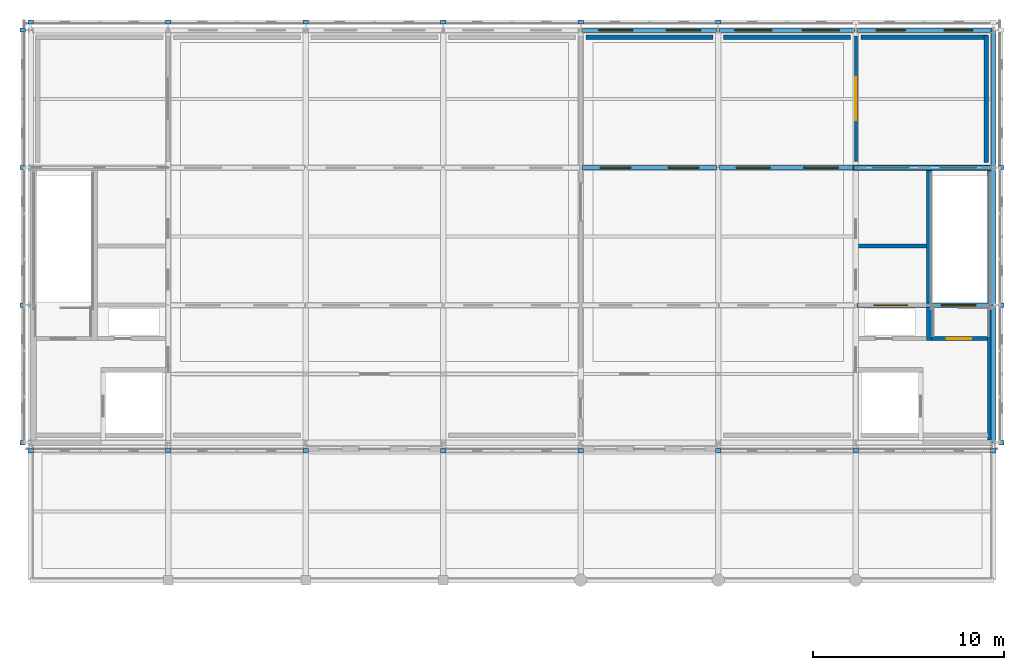
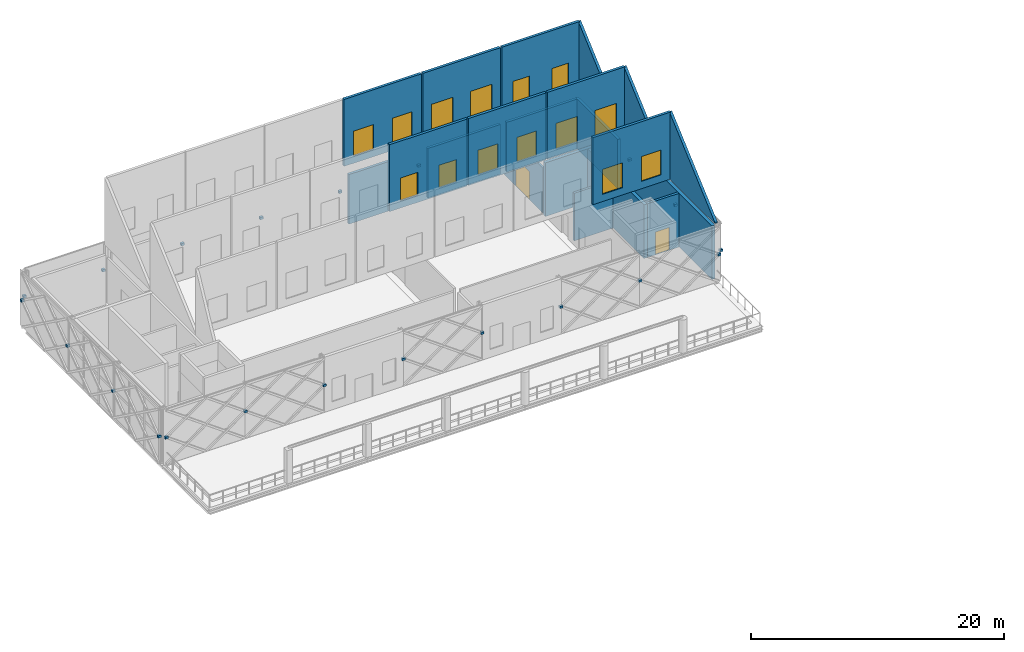
# One storey, part 29 of 31: 21 discrete accessories, 20 walls, 14 windows, 2 doors, 16 openings.
"""IFC4 building model written with IfcOpenShell, lengths in metres."""

from ifc_helpers import new_model, si_unit, direction, frame, frame_2d, origin, origin_2d, place, context, subcontext, project, spatial, polyline, rectangle, outline, extrude, material, layer, layer_set, type_object, element, fill, save


model = new_model("IFC4")

# Units and contexts
model_context = context("Model", 3, precision=1e-05, world=origin(), true_north=direction((0.0, 1.0)))
body_context = subcontext(model_context, "Body", "Model", "MODEL_VIEW")
ifc_project = project(units=[si_unit("LENGTHUNIT", "METRE"), si_unit("AREAUNIT", "SQUARE_METRE"), si_unit("VOLUMEUNIT", "CUBIC_METRE"), si_unit("PLANEANGLEUNIT", "RADIAN"), si_unit("MASSUNIT", "GRAM", prefix="KILO")], contexts=[model_context])

# Site, building, storey
site_placement = place(None, origin())
site = spatial("IfcSite", under=ifc_project, at=site_placement, CompositionType="ELEMENT")
building_placement = place(site_placement, origin())
building = spatial("IfcBuilding", under=site, at=building_placement, Name="Zlatovets Crest Museum", CompositionType="ELEMENT")
storey_placement = place(building_placement, frame((0.0, 0.0, 25.199951171875)))
storey = spatial("IfcBuildingStorey", under=building, at=storey_placement, Name="L05", CompositionType="ELEMENT", Elevation=25.199951171875)

# Walls
ifc_material_1 = material(Name="Concrete C35/45", Category="concrete")
ifc_layer_1 = layer(ifc_material_1, 0.300048828125)
ifc_layer_set_1 = layer_set([ifc_layer_1], Name="Concrete C35/45")
wall_type_1 = type_object("IfcWallType", Name="CoreWall_SW01", PredefinedType="SHEAR", material=ifc_layer_set_1)
wall_1_placement = place(storey_placement, frame((100.64990234375, 108.0, 0.0), z_axis=(0.0, 0.0, 1.0), x_axis=(1.0, 0.0, 0.0)))
element("IfcWall", 1, at=wall_1_placement, inside=storey, type_object=wall_type_1, Name="Core C6 L05 North Shear Wall", PredefinedType="SHEAR", context=body_context, shape_type="SweptSolid", body=[
    extrude(rectangle(XDim=7.35009765625, YDim=0.300048828125, at=frame_2d((3.675048828125, 0.0))), origin(), (0.0, 0.0, 1.0), 5.179931640625),
])
wall_2_placement = place(storey_placement, frame((107.85009765625, 93.75, 0.0), z_axis=(0.0, 0.0, 1.0), x_axis=(0.0, 1.0, 0.0)))
element("IfcWall", 2, at=wall_2_placement, inside=storey, type_object=wall_type_1, Name="Core C6 L05 Perimeter Shear Wall", PredefinedType="SHEAR", context=body_context, shape_type="SweptSolid", body=[
    extrude(rectangle(XDim=14.10009765625, YDim=0.300048828125, at=frame_2d((7.050048828125, 0.0))), origin(), (0.0, 0.0, 1.0), 5.179931640625),
])
wall_3_placement = place(storey_placement, frame((104.64990234375, 98.93994140625, 0.0), z_axis=(0.0, 0.0, 1.0), x_axis=(0.0, 1.0, 0.0)))
element("IfcWall", 3, at=wall_3_placement, inside=storey, type_object=wall_type_1, Name="Core C6 L05 Stair Divider Wall", PredefinedType="SHEAR", context=body_context, shape_type="SweptSolid", body=[
    extrude(rectangle(XDim=8.91015625, YDim=0.300048828125, at=frame_2d((4.455078125, 0.0))), origin(), (0.0, 0.0, 1.0), 5.179931640625),
])

# Wall, opening, door
ifc_layer_2 = layer(ifc_material_1, 0.25)
ifc_layer_set_2 = layer_set([ifc_layer_2], Name="Concrete C35/45")
wall_type_2 = type_object("IfcWallType", Name="CoreWall_SW02", PredefinedType="SHEAR", material=ifc_layer_set_2)
wall_4_placement = place(storey_placement, frame((104.800048828125, 99.050048828125, 0.0), z_axis=(0.0, 0.0, 1.0), x_axis=(1.0, 0.0, 0.0)))
wall_4 = element("IfcWall", 4, at=wall_4_placement, inside=storey, type_object=wall_type_2, Name="Core C6 L05 Stairwell Fire Wall", PredefinedType="SHEAR", context=body_context, shape_type="SweptSolid", body=[
    extrude(rectangle(XDim=2.89990234375, YDim=0.219970703125, at=frame_2d((1.449951171875, 0.0))), origin(), (0.0, 0.0, 1.0), 5.179931640625),
])
opening_1_placement = place(wall_4_placement, frame((0.75, 0.0, 0.0)))
opening_1 = element("IfcOpeningElement", 5, at=opening_1_placement, cuts=wall_4, Name="Opening FD-01", PredefinedType="OPENING", context=body_context, shape_type="SweptSolid", body=[
    extrude(rectangle(XDim=1.300048828125, YDim=2.199951171875, at=frame_2d((0.64990234375, 1.10009765625))), frame((0.0, 0.1201171875, 0.0), z_axis=(0.0, -1.0, 0.0), x_axis=(1.0, 0.0, 0.0)), (0.0, 0.0, 1.0), 0.239990234375),
])
ifc_material_2 = material(Name="Smoke-sealed steel fire door", Category="steel")
door_type_1 = type_object("IfcDoorType", Name="IntDoor_FD-01", OperationType="NOTDEFINED", PredefinedType="DOOR", material=ifc_material_2)
door_1_placement = place(opening_1_placement, origin())
door_1 = element("IfcDoor", 6, at=door_1_placement, inside=storey, type_object=door_type_1, Name="SDOOR-ST7-L05 Stair ST7 L05 Fire Door", OperationType="SINGLE_SWING_LEFT", OverallHeight=2.199951171875, OverallWidth=1.300048828125, PredefinedType="DOOR", context=body_context, shape_type="SweptSolid", body=[
    extrude(rectangle(XDim=1.300048828125, YDim=2.199951171875, at=frame_2d((0.64990234375, 1.10009765625))), frame((0.0, 0.02490234375, 0.0), z_axis=(0.0, -1.0, 0.0), x_axis=(1.0, 0.0, 0.0)), (0.0, 0.0, 1.0), 0.050048828125),
])
fill(opening_1, door_1)

# Walls
ifc_material_3 = material(Name="Insulated gallery conservation liner wall", Category="concrete")
ifc_layer_3 = layer(ifc_material_3, 0.300048828125)
ifc_layer_set_3 = layer_set([ifc_layer_3], Name="Insulated gallery conservation liner wall")
wall_type_3 = type_object("IfcWallType", Name="ExtWall_EW-02", PredefinedType="STANDARD", material=ifc_layer_set_3)
for number, where, z_axis, x_axis, name in (
    (7, (107.6201171875, 108.280029296875, 0.0), (0.0, 0.0, 1.0), (0.0, 1.0, 0.0), "V1 L05 Interior Conservation Gallery Liner Wall"),
    (8, (107.719970703125, 114.820068359375, 0.0), (0.0, 0.0, 1.0), (-1.0, 0.0, 0.0), "V1 L05 Interior Conservation Gallery Liner Wall"),
):
    element("IfcWall", number, at=place(storey_placement, frame(where, z_axis=z_axis, x_axis=x_axis)), inside=storey, type_object=wall_type_3, Name=name, PredefinedType="STANDARD", context=body_context, shape_type="SweptSolid", body=[
        extrude(rectangle(XDim=6.639892578125, YDim=0.239990234375, at=frame_2d((3.31982421875, 0.0))), origin(), (0.0, 0.0, 1.0), 4.780029296875),
    ])
for number, where, z_axis, x_axis, name in (
    (9, (100.52001953125, 114.820068359375, 0.0), (0.0, 0.0, 1.0), (-1.0, 0.0, 0.0), "V1 L05 Interior Conservation Gallery Liner Wall"),
    (10, (93.320068359375, 114.820068359375, 0.0), (0.0, 0.0, 1.0), (-1.0, 0.0, 0.0), "V1 L05 Interior Conservation Gallery Liner Wall"),
):
    element("IfcWall", number, at=place(storey_placement, frame(where, z_axis=z_axis, x_axis=x_axis)), inside=storey, type_object=wall_type_3, Name=name, PredefinedType="STANDARD", context=body_context, shape_type="SweptSolid", body=[
        extrude(rectangle(XDim=6.64013671875, YDim=0.239990234375, at=frame_2d((3.320068359375, 0.0))), origin(), (0.0, 0.0, 1.0), 4.780029296875),
    ])

# Wall, openings, windows
ifc_material_4 = material(Name="Copper-zinc insulated clerestory and vault tympanum wall", Category="steel")
ifc_layer_4 = layer(ifc_material_4, 0.260009765625)
ifc_layer_set_4 = layer_set([ifc_layer_4], Name="Copper-zinc insulated clerestory and vault tympanum wall")
wall_type_4 = type_object("IfcWallType", Name="ExtWall_EW-04", PredefinedType="STANDARD", material=ifc_layer_set_4)
wall_5_placement = place(storey_placement, frame((107.93994140625, 100.800048828125, 5.420166015625), z_axis=(0.0, 0.0, 1.0), x_axis=(-1.0, 0.0, 0.0)))
wall_5 = element("IfcWall", 11, at=wall_5_placement, inside=storey, type_object=wall_type_4, Name="V1 Tooth 1 North-Light Clerestory Wall Bay 6", PredefinedType="STANDARD", context=body_context, shape_type="SweptSolid", body=[
    extrude(rectangle(XDim=7.079833984375, YDim=0.239990234375, at=frame_2d((3.5400390625, 0.0))), origin(), (0.0, 0.0, 1.0), 6.4599609375),
])
opening_2_placement = place(wall_5_placement, frame((0.8701171875, 0.0, 0.699951171875)))
opening_2 = element("IfcOpeningElement", 12, at=opening_2_placement, cuts=wall_5, Name="Opening RL-NL2", PredefinedType="OPENING", context=body_context, shape_type="SweptSolid", body=[
    extrude(rectangle(XDim=1.800048828125, YDim=2.39990234375, at=frame_2d((0.89990234375, 1.199951171875))), frame((0.0, 0.1298828125, 0.0), z_axis=(0.0, -1.0, 0.0), x_axis=(1.0, 0.0, 0.0)), (0.0, 0.0, 1.0), 0.260009765625),
])
opening_3_placement = place(wall_5_placement, frame((4.409912109375, 0.0, 0.699951171875)))
opening_3 = element("IfcOpeningElement", 13, at=opening_3_placement, cuts=wall_5, Name="Opening RL-NL2", PredefinedType="OPENING", context=body_context, shape_type="SweptSolid", body=[
    extrude(rectangle(XDim=1.800048828125, YDim=2.39990234375, at=frame_2d((0.89990234375, 1.199951171875))), frame((0.0, 0.1298828125, 0.0), z_axis=(0.0, -1.0, 0.0), x_axis=(1.0, 0.0, 0.0)), (0.0, 0.0, 1.0), 0.260009765625),
])
ifc_material_5 = material(Name="Bronze-anodised aluminium frame with low-E triple glass", Category="aluminium")
window_type_1 = type_object("IfcWindowType", Name="Win_RL-NL2", PartitioningType="SINGLE_PANEL", PredefinedType="SKYLIGHT", material=ifc_material_5)
window_1_placement = place(opening_2_placement, origin())
window_1 = element("IfcWindow", 14, at=window_1_placement, inside=storey, type_object=window_type_1, Name="Rooflight V1 Tooth 1 Bay 6.1", OverallHeight=2.39990234375, OverallWidth=1.800048828125, PartitioningType="SINGLE_PANEL", PredefinedType="SKYLIGHT", context=body_context, shape_type="SweptSolid", body=[
    extrude(rectangle(XDim=1.800048828125, YDim=2.39990234375, at=frame_2d((0.89990234375, 1.199951171875))), frame((0.0, 0.030029296875, 0.0), z_axis=(0.0, -1.0, 0.0), x_axis=(1.0, 0.0, 0.0)), (0.0, 0.0, 1.0), 0.06005859375),
])
fill(opening_2, window_1)
window_2_placement = place(opening_3_placement, origin())
window_2 = element("IfcWindow", 15, at=window_2_placement, inside=storey, type_object=window_type_1, Name="Rooflight V1 Tooth 1 Bay 6.2", OverallHeight=2.39990234375, OverallWidth=1.800048828125, PartitioningType="SINGLE_PANEL", PredefinedType="SKYLIGHT", context=body_context, shape_type="SweptSolid", body=[
    extrude(rectangle(XDim=1.800048828125, YDim=2.39990234375, at=frame_2d((0.89990234375, 1.199951171875))), frame((0.0, 0.030029296875, 0.0), z_axis=(0.0, -1.0, 0.0), x_axis=(1.0, 0.0, 0.0)), (0.0, 0.0, 1.0), 0.06005859375),
])
fill(opening_3, window_2)

# Wall
wall_6_placement = place(storey_placement, frame((108.0, 93.60009765625, 5.420166015625), z_axis=(0.0, 0.0, 1.0), x_axis=(0.0, 1.0, 0.0)))
element("IfcWall", 16, at=wall_6_placement, inside=storey, type_object=wall_type_4, Name="V1 Sawtooth Tooth 1 E Gable Wall", PredefinedType="STANDARD", context=body_context, shape_type="SweptSolid", body=[
    extrude(outline(polyline([(0.0, 0.0), (7.199951171875, 0.0), (7.199951171875, 6.4599609375), (0.0, 0.1298828125), (0.0, 0.0)])), frame((0.0, 0.1201171875, 0.0), z_axis=(0.0, -1.0, 0.0), x_axis=(1.0, 0.0, 0.0)), (0.0, 0.0, 1.0), 0.239990234375),
])

# Wall, openings, windows
wall_7_placement = place(storey_placement, frame((93.5400390625, 108.0, 5.420166015625), z_axis=(0.0, 0.0, 1.0), x_axis=(-1.0, 0.0, 0.0)))
wall_7 = element("IfcWall", 17, at=wall_7_placement, inside=storey, type_object=wall_type_4, Name="V1 Tooth 2 North-Light Clerestory Wall Bay 4", PredefinedType="STANDARD", context=body_context, shape_type="SweptSolid", body=[
    extrude(rectangle(XDim=7.080078125, YDim=0.239990234375, at=frame_2d((3.5400390625, 0.0))), origin(), (0.0, 0.0, 1.0), 6.4599609375),
])
opening_4_placement = place(wall_7_placement, frame((0.969970703125, 0.0, 0.699951171875)))
opening_4 = element("IfcOpeningElement", 18, at=opening_4_placement, cuts=wall_7, Name="Opening RL-NL1", PredefinedType="OPENING", context=body_context, shape_type="SweptSolid", body=[
    extrude(rectangle(XDim=1.60009765625, YDim=2.199951171875, at=frame_2d((0.800048828125, 1.10009765625))), frame((0.0, 0.1298828125, 0.0), z_axis=(0.0, -1.0, 0.0), x_axis=(1.0, 0.0, 0.0)), (0.0, 0.0, 1.0), 0.260009765625),
])
opening_5_placement = place(wall_7_placement, frame((4.510009765625, 0.0, 0.699951171875)))
opening_5 = element("IfcOpeningElement", 19, at=opening_5_placement, cuts=wall_7, Name="Opening RL-NL1", PredefinedType="OPENING", context=body_context, shape_type="SweptSolid", body=[
    extrude(rectangle(XDim=1.60009765625, YDim=2.199951171875, at=frame_2d((0.800048828125, 1.10009765625))), frame((0.0, 0.1298828125, 0.0), z_axis=(0.0, -1.0, 0.0), x_axis=(1.0, 0.0, 0.0)), (0.0, 0.0, 1.0), 0.260009765625),
])
window_type_2 = type_object("IfcWindowType", Name="Win_RL-NL1", PartitioningType="SINGLE_PANEL", PredefinedType="SKYLIGHT", material=ifc_material_5)
window_3_placement = place(opening_4_placement, origin())
window_3 = element("IfcWindow", 20, at=window_3_placement, inside=storey, type_object=window_type_2, Name="Rooflight V1 Tooth 2 Bay 4.1", OverallHeight=2.199951171875, OverallWidth=1.60009765625, PartitioningType="SINGLE_PANEL", PredefinedType="SKYLIGHT", context=body_context, shape_type="SweptSolid", body=[
    extrude(rectangle(XDim=1.60009765625, YDim=2.199951171875, at=frame_2d((0.800048828125, 1.10009765625))), frame((0.0, 0.030029296875, 0.0), z_axis=(0.0, -1.0, 0.0), x_axis=(1.0, 0.0, 0.0)), (0.0, 0.0, 1.0), 0.06005859375),
])
fill(opening_4, window_3)
window_4_placement = place(opening_5_placement, origin())
window_4 = element("IfcWindow", 21, at=window_4_placement, inside=storey, type_object=window_type_2, Name="Rooflight V1 Tooth 2 Bay 4.2", OverallHeight=2.199951171875, OverallWidth=1.60009765625, PartitioningType="SINGLE_PANEL", PredefinedType="SKYLIGHT", context=body_context, shape_type="SweptSolid", body=[
    extrude(rectangle(XDim=1.60009765625, YDim=2.199951171875, at=frame_2d((0.800048828125, 1.10009765625))), frame((0.0, 0.030029296875, 0.0), z_axis=(0.0, -1.0, 0.0), x_axis=(1.0, 0.0, 0.0)), (0.0, 0.0, 1.0), 0.06005859375),
])
fill(opening_5, window_4)

wall_8_placement = place(storey_placement, frame((100.739990234375, 108.0, 5.420166015625), z_axis=(0.0, 0.0, 1.0), x_axis=(-1.0, 0.0, 0.0)))
wall_8 = element("IfcWall", 22, at=wall_8_placement, inside=storey, type_object=wall_type_4, Name="V1 Tooth 2 North-Light Clerestory Wall Bay 5", PredefinedType="STANDARD", context=body_context, shape_type="SweptSolid", body=[
    extrude(rectangle(XDim=7.080078125, YDim=0.239990234375, at=frame_2d((3.5400390625, 0.0))), origin(), (0.0, 0.0, 1.0), 6.4599609375),
])
opening_6_placement = place(wall_8_placement, frame((0.8701171875, 0.0, 0.699951171875)))
opening_6 = element("IfcOpeningElement", 23, at=opening_6_placement, cuts=wall_8, Name="Opening RL-NL2", PredefinedType="OPENING", context=body_context, shape_type="SweptSolid", body=[
    extrude(rectangle(XDim=1.800048828125, YDim=2.39990234375, at=frame_2d((0.89990234375, 1.199951171875))), frame((0.0, 0.1298828125, 0.0), z_axis=(0.0, -1.0, 0.0), x_axis=(1.0, 0.0, 0.0)), (0.0, 0.0, 1.0), 0.260009765625),
])
opening_7_placement = place(wall_8_placement, frame((4.409912109375, 0.0, 0.699951171875)))
opening_7 = element("IfcOpeningElement", 24, at=opening_7_placement, cuts=wall_8, Name="Opening RL-NL2", PredefinedType="OPENING", context=body_context, shape_type="SweptSolid", body=[
    extrude(rectangle(XDim=1.800048828125, YDim=2.39990234375, at=frame_2d((0.89990234375, 1.199951171875))), frame((0.0, 0.1298828125, 0.0), z_axis=(0.0, -1.0, 0.0), x_axis=(1.0, 0.0, 0.0)), (0.0, 0.0, 1.0), 0.260009765625),
])
window_5_placement = place(opening_6_placement, origin())
window_5 = element("IfcWindow", 25, at=window_5_placement, inside=storey, type_object=window_type_1, Name="Rooflight V1 Tooth 2 Bay 5.1", OverallHeight=2.39990234375, OverallWidth=1.800048828125, PartitioningType="SINGLE_PANEL", PredefinedType="SKYLIGHT", context=body_context, shape_type="SweptSolid", body=[
    extrude(rectangle(XDim=1.800048828125, YDim=2.39990234375, at=frame_2d((0.89990234375, 1.199951171875))), frame((0.0, 0.030029296875, 0.0), z_axis=(0.0, -1.0, 0.0), x_axis=(1.0, 0.0, 0.0)), (0.0, 0.0, 1.0), 0.06005859375),
])
fill(opening_6, window_5)
window_6_placement = place(opening_7_placement, origin())
window_6 = element("IfcWindow", 26, at=window_6_placement, inside=storey, type_object=window_type_1, Name="Rooflight V1 Tooth 2 Bay 5.2", OverallHeight=2.39990234375, OverallWidth=1.800048828125, PartitioningType="SINGLE_PANEL", PredefinedType="SKYLIGHT", context=body_context, shape_type="SweptSolid", body=[
    extrude(rectangle(XDim=1.800048828125, YDim=2.39990234375, at=frame_2d((0.89990234375, 1.199951171875))), frame((0.0, 0.030029296875, 0.0), z_axis=(0.0, -1.0, 0.0), x_axis=(1.0, 0.0, 0.0)), (0.0, 0.0, 1.0), 0.06005859375),
])
fill(opening_7, window_6)

wall_9_placement = place(storey_placement, frame((107.93994140625, 108.0, 5.420166015625), z_axis=(0.0, 0.0, 1.0), x_axis=(-1.0, 0.0, 0.0)))
wall_9 = element("IfcWall", 27, at=wall_9_placement, inside=storey, type_object=wall_type_4, Name="V1 Tooth 2 North-Light Clerestory Wall Bay 6", PredefinedType="STANDARD", context=body_context, shape_type="SweptSolid", body=[
    extrude(rectangle(XDim=7.079833984375, YDim=0.239990234375, at=frame_2d((3.5400390625, 0.0))), origin(), (0.0, 0.0, 1.0), 6.4599609375),
])
opening_8_placement = place(wall_9_placement, frame((0.794921875, 0.0, 0.699951171875)))
opening_8 = element("IfcOpeningElement", 28, at=opening_8_placement, cuts=wall_9, Name="Opening RL-NL3", PredefinedType="OPENING", context=body_context, shape_type="SweptSolid", body=[
    extrude(rectangle(XDim=1.949951171875, YDim=2.5, at=frame_2d((0.97509765625, 1.25))), frame((0.0, 0.1298828125, 0.0), z_axis=(0.0, -1.0, 0.0), x_axis=(1.0, 0.0, 0.0)), (0.0, 0.0, 1.0), 0.260009765625),
])
opening_9_placement = place(wall_9_placement, frame((4.3349609375, 0.0, 0.699951171875)))
opening_9 = element("IfcOpeningElement", 29, at=opening_9_placement, cuts=wall_9, Name="Opening RL-NL3", PredefinedType="OPENING", context=body_context, shape_type="SweptSolid", body=[
    extrude(rectangle(XDim=1.949951171875, YDim=2.5, at=frame_2d((0.97509765625, 1.25))), frame((0.0, 0.1298828125, 0.0), z_axis=(0.0, -1.0, 0.0), x_axis=(1.0, 0.0, 0.0)), (0.0, 0.0, 1.0), 0.260009765625),
])
window_type_3 = type_object("IfcWindowType", Name="Win_RL-NL3", PartitioningType="SINGLE_PANEL", PredefinedType="SKYLIGHT", material=ifc_material_5)
window_7_placement = place(opening_8_placement, origin())
window_7 = element("IfcWindow", 30, at=window_7_placement, inside=storey, type_object=window_type_3, Name="Rooflight V1 Tooth 2 Bay 6.1", OverallHeight=2.5, OverallWidth=1.949951171875, PartitioningType="SINGLE_PANEL", PredefinedType="SKYLIGHT", context=body_context, shape_type="SweptSolid", body=[
    extrude(rectangle(XDim=1.949951171875, YDim=2.5, at=frame_2d((0.97509765625, 1.25))), frame((0.0, 0.030029296875, 0.0), z_axis=(0.0, -1.0, 0.0), x_axis=(1.0, 0.0, 0.0)), (0.0, 0.0, 1.0), 0.06005859375),
])
fill(opening_8, window_7)
window_8_placement = place(opening_9_placement, origin())
window_8 = element("IfcWindow", 31, at=window_8_placement, inside=storey, type_object=window_type_3, Name="Rooflight V1 Tooth 2 Bay 6.2", OverallHeight=2.5, OverallWidth=1.949951171875, PartitioningType="SINGLE_PANEL", PredefinedType="SKYLIGHT", context=body_context, shape_type="SweptSolid", body=[
    extrude(rectangle(XDim=1.949951171875, YDim=2.5, at=frame_2d((0.97509765625, 1.25))), frame((0.0, 0.030029296875, 0.0), z_axis=(0.0, -1.0, 0.0), x_axis=(1.0, 0.0, 0.0)), (0.0, 0.0, 1.0), 0.06005859375),
])
fill(opening_9, window_8)

# Wall
wall_10_placement = place(storey_placement, frame((108.0, 100.800048828125, 5.420166015625), z_axis=(0.0, 0.0, 1.0), x_axis=(0.0, 1.0, 0.0)))
element("IfcWall", 32, at=wall_10_placement, inside=storey, type_object=wall_type_4, Name="V1 Sawtooth Tooth 2 E Gable Wall", PredefinedType="STANDARD", context=body_context, shape_type="SweptSolid", body=[
    extrude(outline(polyline([(0.0, 0.0), (7.199951171875, 0.0), (7.199951171875, 6.4599609375), (0.0, 0.1298828125), (0.0, 0.0)])), frame((0.0, 0.1201171875, 0.0), z_axis=(0.0, -1.0, 0.0), x_axis=(1.0, 0.0, 0.0)), (0.0, 0.0, 1.0), 0.239990234375),
])

# Wall, openings, windows
wall_11_placement = place(storey_placement, frame((93.5400390625, 115.199951171875, 5.420166015625), z_axis=(0.0, 0.0, 1.0), x_axis=(-1.0, 0.0, 0.0)))
wall_11 = element("IfcWall", 33, at=wall_11_placement, inside=storey, type_object=wall_type_4, Name="V1 Tooth 3 North-Light Clerestory Wall Bay 4", PredefinedType="STANDARD", context=body_context, shape_type="SweptSolid", body=[
    extrude(rectangle(XDim=7.080078125, YDim=0.239990234375, at=frame_2d((3.5400390625, 0.0))), origin(), (0.0, 0.0, 1.0), 6.4599609375),
])
opening_10_placement = place(wall_11_placement, frame((0.8701171875, 0.0, 0.699951171875)))
opening_10 = element("IfcOpeningElement", 34, at=opening_10_placement, cuts=wall_11, Name="Opening RL-NL2", PredefinedType="OPENING", context=body_context, shape_type="SweptSolid", body=[
    extrude(rectangle(XDim=1.800048828125, YDim=2.39990234375, at=frame_2d((0.89990234375, 1.199951171875))), frame((0.0, 0.1298828125, 0.0), z_axis=(0.0, -1.0, 0.0), x_axis=(1.0, 0.0, 0.0)), (0.0, 0.0, 1.0), 0.260009765625),
])
opening_11_placement = place(wall_11_placement, frame((4.409912109375, 0.0, 0.699951171875)))
opening_11 = element("IfcOpeningElement", 35, at=opening_11_placement, cuts=wall_11, Name="Opening RL-NL2", PredefinedType="OPENING", context=body_context, shape_type="SweptSolid", body=[
    extrude(rectangle(XDim=1.800048828125, YDim=2.39990234375, at=frame_2d((0.89990234375, 1.199951171875))), frame((0.0, 0.1298828125, 0.0), z_axis=(0.0, -1.0, 0.0), x_axis=(1.0, 0.0, 0.0)), (0.0, 0.0, 1.0), 0.260009765625),
])
window_9_placement = place(opening_10_placement, origin())
window_9 = element("IfcWindow", 36, at=window_9_placement, inside=storey, type_object=window_type_1, Name="Rooflight V1 Tooth 3 Bay 4.1", OverallHeight=2.39990234375, OverallWidth=1.800048828125, PartitioningType="SINGLE_PANEL", PredefinedType="SKYLIGHT", context=body_context, shape_type="SweptSolid", body=[
    extrude(rectangle(XDim=1.800048828125, YDim=2.39990234375, at=frame_2d((0.89990234375, 1.199951171875))), frame((0.0, 0.030029296875, 0.0), z_axis=(0.0, -1.0, 0.0), x_axis=(1.0, 0.0, 0.0)), (0.0, 0.0, 1.0), 0.06005859375),
])
fill(opening_10, window_9)
window_10_placement = place(opening_11_placement, origin())
window_10 = element("IfcWindow", 37, at=window_10_placement, inside=storey, type_object=window_type_1, Name="Rooflight V1 Tooth 3 Bay 4.2", OverallHeight=2.39990234375, OverallWidth=1.800048828125, PartitioningType="SINGLE_PANEL", PredefinedType="SKYLIGHT", context=body_context, shape_type="SweptSolid", body=[
    extrude(rectangle(XDim=1.800048828125, YDim=2.39990234375, at=frame_2d((0.89990234375, 1.199951171875))), frame((0.0, 0.030029296875, 0.0), z_axis=(0.0, -1.0, 0.0), x_axis=(1.0, 0.0, 0.0)), (0.0, 0.0, 1.0), 0.06005859375),
])
fill(opening_11, window_10)

wall_12_placement = place(storey_placement, frame((100.739990234375, 115.199951171875, 5.420166015625), z_axis=(0.0, 0.0, 1.0), x_axis=(-1.0, 0.0, 0.0)))
wall_12 = element("IfcWall", 38, at=wall_12_placement, inside=storey, type_object=wall_type_4, Name="V1 Tooth 3 North-Light Clerestory Wall Bay 5", PredefinedType="STANDARD", context=body_context, shape_type="SweptSolid", body=[
    extrude(rectangle(XDim=7.080078125, YDim=0.239990234375, at=frame_2d((3.5400390625, 0.0))), origin(), (0.0, 0.0, 1.0), 6.4599609375),
])
opening_12_placement = place(wall_12_placement, frame((0.794921875, 0.0, 0.699951171875)))
opening_12 = element("IfcOpeningElement", 39, at=opening_12_placement, cuts=wall_12, Name="Opening RL-NL3", PredefinedType="OPENING", context=body_context, shape_type="SweptSolid", body=[
    extrude(rectangle(XDim=1.949951171875, YDim=2.5, at=frame_2d((0.97509765625, 1.25))), frame((0.0, 0.1298828125, 0.0), z_axis=(0.0, -1.0, 0.0), x_axis=(1.0, 0.0, 0.0)), (0.0, 0.0, 1.0), 0.260009765625),
])
opening_13_placement = place(wall_12_placement, frame((4.3349609375, 0.0, 0.699951171875)))
opening_13 = element("IfcOpeningElement", 40, at=opening_13_placement, cuts=wall_12, Name="Opening RL-NL3", PredefinedType="OPENING", context=body_context, shape_type="SweptSolid", body=[
    extrude(rectangle(XDim=1.949951171875, YDim=2.5, at=frame_2d((0.97509765625, 1.25))), frame((0.0, 0.1298828125, 0.0), z_axis=(0.0, -1.0, 0.0), x_axis=(1.0, 0.0, 0.0)), (0.0, 0.0, 1.0), 0.260009765625),
])
window_11_placement = place(opening_12_placement, origin())
window_11 = element("IfcWindow", 41, at=window_11_placement, inside=storey, type_object=window_type_3, Name="Rooflight V1 Tooth 3 Bay 5.1", OverallHeight=2.5, OverallWidth=1.949951171875, PartitioningType="SINGLE_PANEL", PredefinedType="SKYLIGHT", context=body_context, shape_type="SweptSolid", body=[
    extrude(rectangle(XDim=1.949951171875, YDim=2.5, at=frame_2d((0.97509765625, 1.25))), frame((0.0, 0.030029296875, 0.0), z_axis=(0.0, -1.0, 0.0), x_axis=(1.0, 0.0, 0.0)), (0.0, 0.0, 1.0), 0.06005859375),
])
fill(opening_12, window_11)
window_12_placement = place(opening_13_placement, origin())
window_12 = element("IfcWindow", 42, at=window_12_placement, inside=storey, type_object=window_type_3, Name="Rooflight V1 Tooth 3 Bay 5.2", OverallHeight=2.5, OverallWidth=1.949951171875, PartitioningType="SINGLE_PANEL", PredefinedType="SKYLIGHT", context=body_context, shape_type="SweptSolid", body=[
    extrude(rectangle(XDim=1.949951171875, YDim=2.5, at=frame_2d((0.97509765625, 1.25))), frame((0.0, 0.030029296875, 0.0), z_axis=(0.0, -1.0, 0.0), x_axis=(1.0, 0.0, 0.0)), (0.0, 0.0, 1.0), 0.06005859375),
])
fill(opening_13, window_12)

wall_13_placement = place(storey_placement, frame((107.93994140625, 115.199951171875, 5.420166015625), z_axis=(0.0, 0.0, 1.0), x_axis=(-1.0, 0.0, 0.0)))
wall_13 = element("IfcWall", 43, at=wall_13_placement, inside=storey, type_object=wall_type_4, Name="V1 Tooth 3 North-Light Clerestory Wall Bay 6", PredefinedType="STANDARD", context=body_context, shape_type="SweptSolid", body=[
    extrude(rectangle(XDim=7.079833984375, YDim=0.239990234375, at=frame_2d((3.5400390625, 0.0))), origin(), (0.0, 0.0, 1.0), 6.4599609375),
])
opening_14_placement = place(wall_13_placement, frame((1.02001953125, 0.0, 0.699951171875)))
opening_14 = element("IfcOpeningElement", 44, at=opening_14_placement, cuts=wall_13, Name="Opening RL-NL4", PredefinedType="OPENING", context=body_context, shape_type="SweptSolid", body=[
    extrude(rectangle(XDim=1.5, YDim=2.10009765625, at=frame_2d((0.75, 1.050048828125))), frame((0.0, 0.1298828125, 0.0), z_axis=(0.0, -1.0, 0.0), x_axis=(1.0, 0.0, 0.0)), (0.0, 0.0, 1.0), 0.260009765625),
])
opening_15_placement = place(wall_13_placement, frame((4.56005859375, 0.0, 0.699951171875)))
opening_15 = element("IfcOpeningElement", 45, at=opening_15_placement, cuts=wall_13, Name="Opening RL-NL4", PredefinedType="OPENING", context=body_context, shape_type="SweptSolid", body=[
    extrude(rectangle(XDim=1.5, YDim=2.10009765625, at=frame_2d((0.75, 1.050048828125))), frame((0.0, 0.1298828125, 0.0), z_axis=(0.0, -1.0, 0.0), x_axis=(1.0, 0.0, 0.0)), (0.0, 0.0, 1.0), 0.260009765625),
])
window_type_4 = type_object("IfcWindowType", Name="Win_RL-NL4", PartitioningType="SINGLE_PANEL", PredefinedType="SKYLIGHT", material=ifc_material_5)
window_13_placement = place(opening_14_placement, origin())
window_13 = element("IfcWindow", 46, at=window_13_placement, inside=storey, type_object=window_type_4, Name="Rooflight V1 Tooth 3 Bay 6.1", OverallHeight=2.10009765625, OverallWidth=1.5, PartitioningType="SINGLE_PANEL", PredefinedType="SKYLIGHT", context=body_context, shape_type="SweptSolid", body=[
    extrude(rectangle(XDim=1.5, YDim=2.10009765625, at=frame_2d((0.75, 1.050048828125))), frame((0.0, 0.030029296875, 0.0), z_axis=(0.0, -1.0, 0.0), x_axis=(1.0, 0.0, 0.0)), (0.0, 0.0, 1.0), 0.06005859375),
])
fill(opening_14, window_13)
window_14_placement = place(opening_15_placement, origin())
window_14 = element("IfcWindow", 47, at=window_14_placement, inside=storey, type_object=window_type_4, Name="Rooflight V1 Tooth 3 Bay 6.2", OverallHeight=2.10009765625, OverallWidth=1.5, PartitioningType="SINGLE_PANEL", PredefinedType="SKYLIGHT", context=body_context, shape_type="SweptSolid", body=[
    extrude(rectangle(XDim=1.5, YDim=2.10009765625, at=frame_2d((0.75, 1.050048828125))), frame((0.0, 0.030029296875, 0.0), z_axis=(0.0, -1.0, 0.0), x_axis=(1.0, 0.0, 0.0)), (0.0, 0.0, 1.0), 0.06005859375),
])
fill(opening_15, window_14)

# Wall
wall_14_placement = place(storey_placement, frame((108.0, 108.0, 5.420166015625), z_axis=(0.0, 0.0, 1.0), x_axis=(0.0, 1.0, 0.0)))
element("IfcWall", 48, at=wall_14_placement, inside=storey, type_object=wall_type_4, Name="V1 Sawtooth Tooth 3 E Gable Wall", PredefinedType="STANDARD", context=body_context, shape_type="SweptSolid", body=[
    extrude(outline(polyline([(0.0, 0.0), (7.199951171875, 0.0), (7.199951171875, 6.4599609375), (0.0, 0.1298828125), (0.0, 0.0)])), frame((0.0, 0.1201171875, 0.0), z_axis=(0.0, -1.0, 0.0), x_axis=(1.0, 0.0, 0.0)), (0.0, 0.0, 1.0), 0.239990234375),
])

# Wall, opening, door
ifc_material_6 = material(Name="Acoustic museum gallery stud partition")
ifc_layer_5 = layer(ifc_material_6, 0.159912109375)
ifc_layer_set_5 = layer_set([ifc_layer_5], Name="Acoustic museum gallery stud partition")
wall_type_5 = type_object("IfcWallType", Name="PartWall_PT-02", PredefinedType="PARTITIONING", material=ifc_layer_set_5)
wall_15_placement = place(storey_placement, frame((100.800048828125, 108.320068359375, 0.0), z_axis=(0.0, 0.0, 1.0), x_axis=(0.0, 1.0, 0.0)))
wall_15 = element("IfcWall", 49, at=wall_15_placement, inside=storey, type_object=wall_type_5, Name="V1 L05 Interior Partition PT-02", PredefinedType="PARTITIONING", context=body_context, shape_type="SweptSolid", body=[
    extrude(rectangle(XDim=6.559814453125, YDim=0.159912109375, at=frame_2d((3.27978515625, 0.0))), origin(), (0.0, 0.0, 1.0), 4.35009765625),
])
opening_16_placement = place(wall_15_placement, frame((2.155029296875, 0.0, 0.0)))
opening_16 = element("IfcOpeningElement", 50, at=opening_16_placement, cuts=wall_15, Name="Opening ID-28", PredefinedType="OPENING", context=body_context, shape_type="SweptSolid", body=[
    extrude(rectangle(XDim=2.25, YDim=2.699951171875, at=frame_2d((1.125, 1.35009765625))), frame((0.0, 0.08984375, 0.0), z_axis=(0.0, -1.0, 0.0), x_axis=(1.0, 0.0, 0.0)), (0.0, 0.0, 1.0), 0.179931640625),
])
ifc_material_7 = material(Name="Ceremonial secession salon portal")
door_type_2 = type_object("IfcDoorType", Name="IntDoor_ID-28", OperationType="DOUBLE_DOOR_SINGLE_SWING", PredefinedType="DOOR", material=ifc_material_7)
door_2_placement = place(opening_16_placement, origin())
door_2 = element("IfcDoor", 51, at=door_2_placement, inside=storey, type_object=door_type_2, Name="IDOOR-V1-L05-0229 Top-Lit Graphic and Drawing Cabinet to Daylight Paper Conservation Laboratory Door", OperationType="DOUBLE_DOOR_SINGLE_SWING", OverallHeight=2.699951171875, OverallWidth=2.25, PredefinedType="DOOR", context=body_context, shape_type="SweptSolid", body=[
    extrude(rectangle(XDim=2.25, YDim=2.699951171875, at=frame_2d((1.125, 1.35009765625))), frame((0.0, 0.02490234375, 0.0), z_axis=(0.0, -1.0, 0.0), x_axis=(1.0, 0.0, 0.0)), (0.0, 0.0, 1.0), 0.050048828125),
])
fill(opening_16, door_2)

# Wall
ifc_material_8 = material(Name="Sanitary core acoustic service wall")
ifc_layer_6 = layer(ifc_material_8, 0.219970703125)
ifc_layer_set_6 = layer_set([ifc_layer_6], Name="Sanitary core acoustic service wall")
wall_type_6 = type_object("IfcWallType", Name="PartWall_PT-04", PredefinedType="PLUMBINGWALL", material=ifc_layer_set_6)
wall_16_placement = place(storey_placement, frame((100.949951171875, 103.89990234375, 0.0), z_axis=(0.0, 0.0, 1.0), x_axis=(1.0, 0.0, 0.0)))
element("IfcWall", 52, at=wall_16_placement, inside=storey, type_object=wall_type_6, Name="Core C6 L05 Sanitary Divider", PredefinedType="PLUMBINGWALL", context=body_context, shape_type="SweptSolid", body=[
    extrude(rectangle(XDim=3.550048828125, YDim=0.199951171875, at=frame_2d((1.77490234375, 0.0))), origin(), (0.0, 0.0, 1.0), 4.60009765625),
])

# Discrete accessories
ifc_material_9 = material(Name="Structural steel S355J2", Category="steel")
discrete_accessory_type = type_object("IfcDiscreteAccessoryType", Name="LatticeBracket_BK01", PredefinedType="BRACKET", material=ifc_material_9)
for number, where, z_axis, x_axis, name in (
    (53, (57.60009765625, 93.179931640625, 2.58984375), (0.0, 0.0, 1.0), (1.0, 0.0, 0.0), "Bronze Lattice Structural Collector Bracket"),
    (54, (64.800048828125, 93.179931640625, 2.58984375), (0.0, 0.0, 1.0), (1.0, 0.0, 0.0), "Bronze Lattice Structural Collector Bracket"),
    (55, (72.0, 93.179931640625, 2.58984375), (0.0, 0.0, 1.0), (1.0, 0.0, 0.0), "Bronze Lattice Structural Collector Bracket"),
    (56, (79.199951171875, 93.179931640625, 2.58984375), (0.0, 0.0, 1.0), (1.0, 0.0, 0.0), "Bronze Lattice Structural Collector Bracket"),
    (57, (86.39990234375, 93.179931640625, 2.58984375), (0.0, 0.0, 1.0), (1.0, 0.0, 0.0), "Bronze Lattice Structural Collector Bracket"),
    (58, (93.60009765625, 93.179931640625, 2.58984375), (0.0, 0.0, 1.0), (1.0, 0.0, 0.0), "Bronze Lattice Structural Collector Bracket"),
    (59, (100.800048828125, 93.179931640625, 2.58984375), (0.0, 0.0, 1.0), (1.0, 0.0, 0.0), "Bronze Lattice Structural Collector Bracket"),
    (60, (108.0, 93.179931640625, 2.58984375), (0.0, 0.0, 1.0), (1.0, 0.0, 0.0), "Bronze Lattice Structural Collector Bracket"),
    (61, (108.419921875, 93.60009765625, 2.58984375), (0.0, 0.0, 1.0), (1.0, 0.0, 0.0), "Bronze Lattice Structural Collector Bracket"),
    (62, (108.419921875, 100.800048828125, 2.58984375), (0.0, 0.0, 1.0), (1.0, 0.0, 0.0), "Bronze Lattice Structural Collector Bracket"),
    (63, (108.419921875, 108.0, 2.58984375), (0.0, 0.0, 1.0), (1.0, 0.0, 0.0), "Bronze Lattice Structural Collector Bracket"),
    (64, (93.60009765625, 115.6201171875, 2.58984375), (0.0, 0.0, 1.0), (1.0, 0.0, 0.0), "Bronze Lattice Structural Collector Bracket"),
    (65, (86.39990234375, 115.6201171875, 2.58984375), (0.0, 0.0, 1.0), (1.0, 0.0, 0.0), "Bronze Lattice Structural Collector Bracket"),
    (66, (79.199951171875, 115.6201171875, 2.58984375), (0.0, 0.0, 1.0), (1.0, 0.0, 0.0), "Bronze Lattice Structural Collector Bracket"),
    (67, (72.0, 115.6201171875, 2.58984375), (0.0, 0.0, 1.0), (1.0, 0.0, 0.0), "Bronze Lattice Structural Collector Bracket"),
    (68, (64.800048828125, 115.6201171875, 2.58984375), (0.0, 0.0, 1.0), (1.0, 0.0, 0.0), "Bronze Lattice Structural Collector Bracket"),
    (69, (57.60009765625, 115.6201171875, 2.58984375), (0.0, 0.0, 1.0), (1.0, 0.0, 0.0), "Bronze Lattice Structural Collector Bracket"),
    (70, (57.179931640625, 115.199951171875, 2.58984375), (0.0, 0.0, 1.0), (1.0, 0.0, 0.0), "Bronze Lattice Structural Collector Bracket"),
    (71, (57.179931640625, 108.0, 2.58984375), (0.0, 0.0, 1.0), (1.0, 0.0, 0.0), "Bronze Lattice Structural Collector Bracket"),
    (72, (57.179931640625, 100.800048828125, 2.58984375), (0.0, 0.0, 1.0), (1.0, 0.0, 0.0), "Bronze Lattice Structural Collector Bracket"),
    (73, (57.179931640625, 93.60009765625, 2.58984375), (0.0, 0.0, 1.0), (1.0, 0.0, 0.0), "Bronze Lattice Structural Collector Bracket"),
):
    element("IfcDiscreteAccessory", number, at=place(storey_placement, frame(where, z_axis=z_axis, x_axis=x_axis)), inside=storey, type_object=discrete_accessory_type, Name=name, PredefinedType="BRACKET", context=body_context, shape_type="SweptSolid", body=[
        extrude(rectangle(XDim=0.280029296875, YDim=0.219970703125, at=origin_2d()), origin(), (0.0, 0.0, 1.0), 0.219970703125),
    ])

save(model, "model.ifc")
